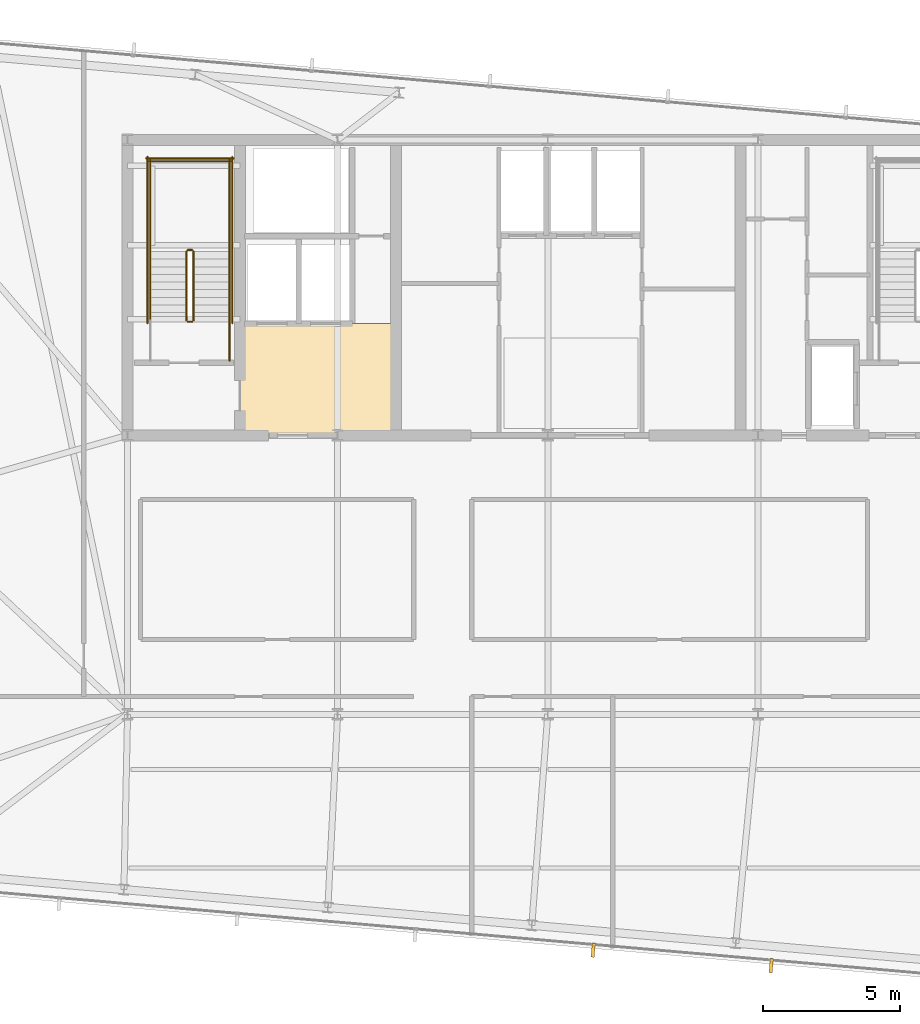
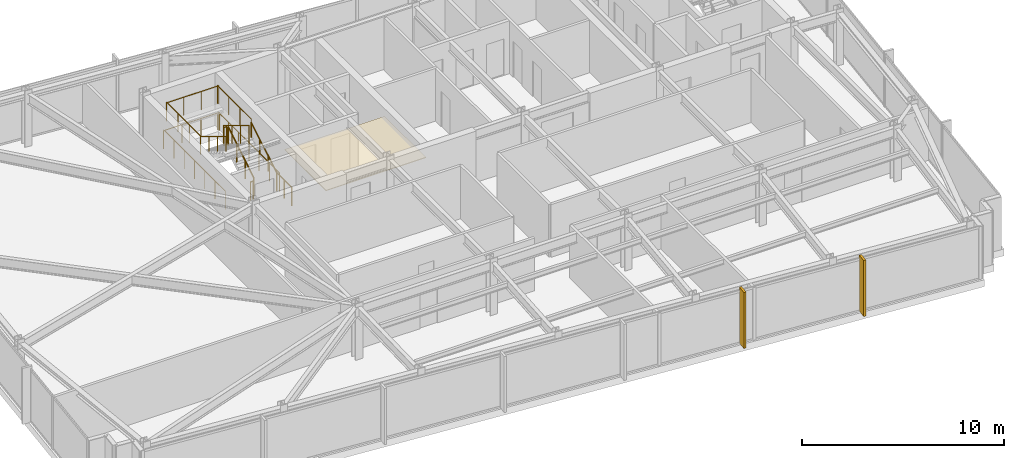
# One storey, part 30 of 32: 13 railings, 2 shading devices, 1 covering.
"""IFC4 building model written with IfcOpenShell, lengths in metres."""

import ifcopenshell
import ifcopenshell.guid

model = None  # the IFC model being written
_history = None  # IfcOwnerHistory: only IFC2X3 demands one
_inside = {}  # id of a spatial element -> (the spatial element, [elements in it])
_under = {}  # id of a project, library or spatial element -> (it, [spatial elements below it])
_declared = {}  # id of a project -> (the project, [libraries it declares])
_typed = {}  # id of a type object -> (the type object, [elements of that type])
_made_of = {}  # id of a material, layer set ... -> (it, [elements and type objects made of it])


def new_model(schema):
    """Start an empty IFC model of exactly this schema.

    Asked for "IFC4X3", IfcOpenShell would pick the latest addendum, in which some entities
    have other attributes; the version numbers below select the first issue.
    IFC2X3 requires an IfcOwnerHistory on every rooted entity: one is made here for all.
    """
    global model, _history
    if schema == "IFC4X3":
        model = ifcopenshell.file(schema_version=(4, 3, 0, 0))
    else:
        model = ifcopenshell.file(schema=schema)
    _inside.clear()
    _under.clear()
    _declared.clear()
    _typed.clear()
    _made_of.clear()
    _history = None
    if model.schema == "IFC2X3":
        org = make("IfcOrganization", Name="unknown")
        user = make(
            "IfcPersonAndOrganization",
            ThePerson=make("IfcPerson", FamilyName="unknown"),
            TheOrganization=org,
        )
        app = make(
            "IfcApplication",
            ApplicationDeveloper=org,
            Version="unknown",
            ApplicationFullName="unknown",
            ApplicationIdentifier="unknown",
        )
        _history = make(
            "IfcOwnerHistory",
            OwningUser=user,
            OwningApplication=app,
            ChangeAction="ADDED",
            CreationDate=0,
        )
    return model


def make(cls, **values):
    """One entity of the class cls with the attributes given. An attribute that is None is left unset."""
    return model.create_entity(
        cls, **{name: value for name, value in values.items() if value is not None}
    )


def rooted(cls, **values):
    """An entity with a GlobalId (a new one), such as an element, a storey or a relation."""
    return make(cls, GlobalId=ifcopenshell.guid.new(), OwnerHistory=_history, **values)


def si_unit(unit_type, name, prefix=None):
    """IfcSIUnit, for example si_unit("LENGTHUNIT", "METRE", prefix="MILLI")."""
    return make("IfcSIUnit", UnitType=unit_type, Prefix=prefix, Name=name)


def assignment(units):
    """IfcUnitAssignment: the units of a project."""
    return None if units is None else make("IfcUnitAssignment", Units=units)


def point(xyz):
    """IfcCartesianPoint."""
    return None if xyz is None else make("IfcCartesianPoint", Coordinates=xyz)


def direction(xyz):
    """IfcDirection."""
    return None if xyz is None else make("IfcDirection", DirectionRatios=xyz)


def frame(location, z_axis=None, x_axis=None):
    """IfcAxis2Placement3D, a coordinate frame: its origin and axes. An axis left out is left unset."""
    return make(
        "IfcAxis2Placement3D",
        Location=point(location),
        Axis=direction(z_axis),
        RefDirection=direction(x_axis),
    )


def frame_2d(location, x_axis=None):
    """IfcAxis2Placement2D, a coordinate frame in the plane: its origin and x axis."""
    return make(
        "IfcAxis2Placement2D", Location=point(location), RefDirection=direction(x_axis)
    )


def origin():
    """The frame at (0, 0, 0) with its axes left unset."""
    return frame((0.0, 0.0, 0.0))


def origin_2d():
    """The frame at (0, 0) in the plane with its x axis left unset."""
    return frame_2d((0.0, 0.0))


def place(relative_to, where):
    """IfcLocalPlacement: puts the frame where relative to a parent placement (None: the world)."""
    return make(
        "IfcLocalPlacement", PlacementRelTo=relative_to, RelativePlacement=where
    )


def context(
    kind, dimensions, precision=None, world=None, true_north=None, identifier=None
):
    """IfcGeometricRepresentationContext, for example the 3D "Model" context."""
    return make(
        "IfcGeometricRepresentationContext",
        ContextIdentifier=identifier,
        ContextType=kind,
        CoordinateSpaceDimension=dimensions,
        Precision=precision,
        WorldCoordinateSystem=world,
        TrueNorth=true_north,
    )


def subcontext(parent, identifier, kind, view, scale=None):
    """IfcGeometricRepresentationSubContext, for example "Body" below "Model"."""
    return make(
        "IfcGeometricRepresentationSubContext",
        ContextIdentifier=identifier,
        ContextType=kind,
        ParentContext=parent,
        TargetScale=scale,
        TargetView=view,
    )


def project(units=None, contexts=None):
    """IfcProject with its units and contexts."""
    return rooted(
        "IfcProject",
        Name="project",
        RepresentationContexts=contexts,
        UnitsInContext=assignment(units),
    )


def spatial(cls, under=None, at=None, **own):
    """A site, building, storey or space (cls), placed at a placement, below another one or the project."""
    s = rooted(cls, ObjectPlacement=at, **own)
    if under is not None:
        _under.setdefault(under.id(), (under, []))[1].append(s)
    return s


def polyline(points):
    """IfcPolyline through the points."""
    return make("IfcPolyline", Points=[point(p) for p in points])


def profile(cls, at=None, kind="AREA", **sizes):
    """A parametric profile (cls). Its sizes go by their IFC names, for example OverallWidth=200.0."""
    return make(cls, ProfileType=kind, Position=at, **sizes)


def rectangle(**sizes):
    """IfcRectangleProfileDef."""
    return profile("IfcRectangleProfileDef", **sizes)


def circle(**sizes):
    """IfcCircleProfileDef."""
    return profile("IfcCircleProfileDef", **sizes)


def outline(outer, holes=None, kind="AREA"):
    """IfcArbitraryClosedProfileDef: a profile drawn as a closed curve; with holes, ...WithVoids."""
    if holes is None:
        return make("IfcArbitraryClosedProfileDef", ProfileType=kind, OuterCurve=outer)
    return make(
        "IfcArbitraryProfileDefWithVoids",
        ProfileType=kind,
        OuterCurve=outer,
        InnerCurves=holes,
    )


def extrude(swept, where, along, depth):
    """IfcExtrudedAreaSolid: the profile swept, set in the frame where, extruded along a direction by depth."""
    return make(
        "IfcExtrudedAreaSolid",
        SweptArea=swept,
        Position=where,
        ExtrudedDirection=direction(along),
        Depth=depth,
    )


def shape(context_of_items, identifier, shape_type, items):
    """IfcShapeRepresentation: the items that make up one representation, for example the "Body"."""
    return make(
        "IfcShapeRepresentation",
        ContextOfItems=context_of_items,
        RepresentationIdentifier=identifier,
        RepresentationType=shape_type,
        Items=items,
    )


def material(Name=None, Category=None):
    """IfcMaterial."""
    return make("IfcMaterial", Name=Name, Category=Category)


def layer(
    of_material, thickness, ventilated=None, Name=None, Category=None, Priority=None
):
    """IfcMaterialLayer: one layer of a wall or slab, of a material (None: an air gap)."""
    return make(
        "IfcMaterialLayer",
        Material=of_material,
        LayerThickness=thickness,
        IsVentilated=ventilated,
        Name=Name,
        Category=Category,
        Priority=Priority,
    )


def layer_set(layers, Name=None):
    """IfcMaterialLayerSet."""
    return make("IfcMaterialLayerSet", MaterialLayers=layers, LayerSetName=Name)


def made_of(thing, what):
    """Note that an element or type object is made of a material, layer set ...; save() writes the relation."""
    if what is not None:
        _made_of.setdefault(what.id(), (what, []))[1].append(thing)
    return thing


def type_object(cls, material=None, **own):
    """A type object (cls), such as IfcWallType, which elements share."""
    return made_of(rooted(cls, **own), material)


def element(
    cls,
    number,
    at=None,
    inside=None,
    cuts=None,
    type_object=None,
    material=None,
    context=None,
    identifier="Body",
    shape_type=None,
    held_by="IfcProductDefinitionShape",
    body=None,
    shapes=None,
    **own,
):
    """One element of the class cls, such as IfcWall. Its Tag is "e" and its number.

    at: its placement. inside: the storey or other place that contains it. cuts: it is an
    opening in that element (IfcRelVoidsElement). A single representation is given by context,
    identifier, shape_type and body (its items); several are given by shapes. held_by: the class
    of the entity that holds the representations. save() writes the other relations.
    """
    e = rooted(cls, Tag="e%d" % number, ObjectPlacement=at, **own)
    if body is not None:
        shapes = [shape(context, identifier, shape_type, body)]
    if shapes is not None:
        e.Representation = make(held_by, Representations=shapes)
    if inside is not None:
        _inside.setdefault(inside.id(), (inside, []))[1].append(e)
    if cuts is not None:
        rooted(
            "IfcRelVoidsElement", RelatingBuildingElement=cuts, RelatedOpeningElement=e
        )
    if type_object is not None:
        _typed.setdefault(type_object.id(), (type_object, []))[1].append(e)
    return made_of(e, material)


def aggregate(whole, parts):
    """IfcRelAggregates: a whole, such as a stair, and the parts it consists of."""
    return rooted("IfcRelAggregates", RelatingObject=whole, RelatedObjects=parts)


def save(model, path):
    """Write the relations noted so far, then the file.

    IfcRelAggregates (storeys below a building ...), IfcRelContainedInSpatialStructure (elements
    in a storey), IfcRelDefinesByType, IfcRelAssociatesMaterial and IfcRelDeclares: one each for
    every whole, place, type object, material and project.
    """
    for whole, parts in _under.values():
        aggregate(whole, parts)
    for where, things in _inside.values():
        rooted(
            "IfcRelContainedInSpatialStructure",
            RelatedElements=things,
            RelatingStructure=where,
        )
    for kind, things in _typed.values():
        rooted("IfcRelDefinesByType", RelatedObjects=things, RelatingType=kind)
    for what, things in _made_of.values():
        rooted("IfcRelAssociatesMaterial", RelatedObjects=things, RelatingMaterial=what)
    for by, libraries in _declared.values():
        rooted("IfcRelDeclares", RelatingContext=by, RelatedDefinitions=libraries)
    model.write(path)


model = new_model("IFC4")

# Units and contexts
model_context = context("Model", 3, precision=1e-05, world=origin(), true_north=direction((0.0, 1.0)))
body_context = subcontext(model_context, "Body", "Model", "MODEL_VIEW")
ifc_project = project(units=[si_unit("LENGTHUNIT", "METRE"), si_unit("AREAUNIT", "SQUARE_METRE"), si_unit("VOLUMEUNIT", "CUBIC_METRE"), si_unit("PLANEANGLEUNIT", "RADIAN"), si_unit("MASSUNIT", "GRAM", prefix="KILO")], contexts=[model_context])

# Site, building, storey
site_placement = place(None, origin())
site = spatial("IfcSite", under=ifc_project, at=site_placement, CompositionType="ELEMENT")
building_placement = place(site_placement, origin())
building = spatial("IfcBuilding", under=site, at=building_placement, Name="Yelkora Congress Tower", CompositionType="ELEMENT")
storey_placement = place(building_placement, frame((0.0, 0.0, 259.10009765625)))
storey = spatial("IfcBuildingStorey", under=building, at=storey_placement, Name="L72", CompositionType="ELEMENT", Elevation=259.10009765625)

# Covering
ifc_material_1 = material(Name="Perforated mineral-fibre acoustic ceiling", Category="gypsum")
ifc_layer_1 = layer(ifc_material_1, 0.0400390625)
ifc_layer_set_1 = layer_set([ifc_layer_1], Name="Perforated mineral-fibre acoustic ceiling")
covering_type = type_object("IfcCoveringType", Name="COV-CEIL-ACOUSTIC-40", PredefinedType="CEILING", material=ifc_layer_set_1)
covering_placement = place(storey_placement, frame((0.0, 0.0, 2.39990234375)))
element("IfcCovering", 1, at=covering_placement, inside=storey, type_object=covering_type, Name="L72 Firefighting Lobby Acoustic Ceiling", PredefinedType="CEILING", context=body_context, shape_type="SweptSolid", body=[
    extrude(outline(polyline([(27.14990234375, 35.39990234375), (32.85009765625, 35.39990234375), (32.85009765625, 39.47998046875), (27.14990234375, 39.47998046875), (27.14990234375, 35.39990234375)])), origin(), (0.0, 0.0, 1.0), 0.0400390625),
])

# Railings
ifc_material_2 = material(Name="Painted galvanised steel stair well guard with vertical infill", Category="steel")
ifc_layer_2 = layer(ifc_material_2, 0.06005859375)
ifc_layer_set_2 = layer_set([ifc_layer_2], Name="Painted galvanised steel stair well guard with vertical infill")
railing_type_1 = type_object("IfcRailingType", Name="RAIL-STAIR-GUARD-1120", PredefinedType="GUARDRAIL", material=ifc_layer_set_2)
railing_1_placement = place(storey_placement, frame((25.449951171875, 39.60009765625, 0.169921875)))
element("IfcRailing", 2, at=railing_1_placement, inside=storey, type_object=railing_type_1, Name="ST-01 L72 Stair Well Guardrail 1", PredefinedType="GUARDRAIL", context=body_context, shape_type="SweptSolid", body=[
    extrude(circle(Radius=0.02392578125, at=origin_2d()), frame((0.0, 0.0, 1.09619140625), z_axis=(0.0, 0.85478489116, 0.518982456201), x_axis=(-1.0, 0.0, 0.0)), (0.0, 0.0, 1.0), 2.9482421875),
    extrude(circle(Radius=0.02099609375, at=origin_2d()), origin(), (0.0, 0.0, 1.0), 1.072021484375),
    extrude(circle(Radius=0.02099609375, at=origin_2d()), frame((0.0, 0.840087890625, 0.510009765625)), (0.0, 0.0, 1.0), 1.072021484375),
    extrude(circle(Radius=0.02099609375, at=origin_2d()), frame((0.0, 1.679931640625, 1.02001953125)), (0.0, 0.0, 1.0), 1.072021484375),
    extrude(circle(Radius=0.02099609375, at=origin_2d()), frame((0.0, 2.52001953125, 1.530029296875)), (0.0, 0.0, 1.0), 1.072021484375),
])
railing_2_placement = place(storey_placement, frame((25.39990234375, 42.169921875, 1.699951171875)))
element("IfcRailing", 3, at=railing_2_placement, inside=storey, type_object=railing_type_1, Name="ST-01 L72 Stair Well Guardrail 2", PredefinedType="GUARDRAIL", context=body_context, shape_type="SweptSolid", body=[
    extrude(circle(Radius=0.02392578125, at=origin_2d()), frame((0.0, 0.0, 1.09619140625), z_axis=(-1.0, 0.0, 0.0), x_axis=(0.0, -1.0, 0.0)), (0.0, 0.0, 1.0), 0.159912109375),
    extrude(circle(Radius=0.02099609375, at=origin_2d()), origin(), (0.0, 0.0, 1.0), 1.072021484375),
    extrude(circle(Radius=0.02099609375, at=origin_2d()), frame((-0.159912109375, 0.0, 0.0)), (0.0, 0.0, 1.0), 1.072021484375),
])
for number, where, name in (
    (4, (26.77001953125, 42.1201171875, 1.699951171875), "ST-01 L72 Stair Well Guardrail 3"),
    (5, (23.8701171875, 42.1201171875, 1.699951171875), "ST-01 L72 Stair Well Guardrail 4"),
):
    element("IfcRailing", number, at=place(storey_placement, frame(where)), inside=storey, type_object=railing_type_1, Name=name, PredefinedType="GUARDRAIL", context=body_context, shape_type="SweptSolid", body=[
        extrude(circle(Radius=0.02392578125, at=origin_2d()), frame((0.0, 0.0, 1.09619140625), z_axis=(0.0, 1.0, 0.0), x_axis=(-1.0, 0.0, 0.0)), (0.0, 0.0, 1.0), 3.349853515625),
        extrude(circle(Radius=0.02099609375, at=origin_2d()), origin(), (0.0, 0.0, 1.0), 1.072021484375),
        extrude(circle(Radius=0.02099609375, at=origin_2d()), frame((0.0, 1.11669921875, 0.0)), (0.0, 0.0, 1.0), 1.072021484375),
        extrude(circle(Radius=0.02099609375, at=origin_2d()), frame((0.0, 2.233154296875, 0.0)), (0.0, 0.0, 1.0), 1.072021484375),
        extrude(circle(Radius=0.02099609375, at=origin_2d()), frame((0.0, 3.349853515625, 0.0)), (0.0, 0.0, 1.0), 1.072021484375),
    ])
railing_3_placement = place(storey_placement, frame((26.820068359375, 45.419921875, 1.699951171875)))
element("IfcRailing", 6, at=railing_3_placement, inside=storey, type_object=railing_type_1, Name="ST-01 L72 Stair Well Guardrail 5", PredefinedType="GUARDRAIL", context=body_context, shape_type="SweptSolid", body=[
    extrude(circle(Radius=0.02392578125, at=origin_2d()), frame((0.0, 0.0, 1.09619140625), z_axis=(-1.0, 0.0, 0.0), x_axis=(0.0, -1.0, 0.0)), (0.0, 0.0, 1.0), 3.0),
    extrude(circle(Radius=0.02099609375, at=origin_2d()), origin(), (0.0, 0.0, 1.0), 1.072021484375),
    extrude(circle(Radius=0.02099609375, at=origin_2d()), frame((-1.0, 0.0, 0.0)), (0.0, 0.0, 1.0), 1.072021484375),
    extrude(circle(Radius=0.02099609375, at=origin_2d()), frame((-2.0, 0.0, 0.0)), (0.0, 0.0, 1.0), 1.072021484375),
    extrude(circle(Radius=0.02099609375, at=origin_2d()), frame((-3.0, 0.0, 0.0)), (0.0, 0.0, 1.0), 1.072021484375),
])
railing_4_placement = place(storey_placement, frame((25.18994140625, 42.1201171875, 1.869873046875)))
element("IfcRailing", 7, at=railing_4_placement, inside=storey, type_object=railing_type_1, Name="ST-01 L72 Stair Well Guardrail 6", PredefinedType="GUARDRAIL", context=body_context, shape_type="SweptSolid", body=[
    extrude(circle(Radius=0.02392578125, at=origin_2d()), frame((0.0, 0.0, 1.09619140625), z_axis=(0.0, -0.85478489116, 0.518982456201), x_axis=(1.0, 0.0, 0.0)), (0.0, 0.0, 1.0), 2.9482421875),
    extrude(circle(Radius=0.02099609375, at=origin_2d()), origin(), (0.0, 0.0, 1.0), 1.072021484375),
    extrude(circle(Radius=0.02099609375, at=origin_2d()), frame((0.0, -0.840087890625, 0.510009765625)), (0.0, 0.0, 1.0), 1.072021484375),
    extrude(circle(Radius=0.02099609375, at=origin_2d()), frame((0.0, -1.679931640625, 1.02001953125)), (0.0, 0.0, 1.0), 1.072021484375),
    extrude(circle(Radius=0.02099609375, at=origin_2d()), frame((0.0, -2.52001953125, 1.530029296875)), (0.0, 0.0, 1.0), 1.072021484375),
])
railing_5_placement = place(storey_placement, frame((25.39990234375, 39.550048828125, 0.0)))
element("IfcRailing", 8, at=railing_5_placement, inside=storey, type_object=railing_type_1, Name="ST-01 L72 Stair Well Guardrail 7", PredefinedType="GUARDRAIL", context=body_context, shape_type="SweptSolid", body=[
    extrude(circle(Radius=0.02392578125, at=origin_2d()), frame((0.0, 0.0, 1.09619140625), z_axis=(-1.0, 0.0, 0.0), x_axis=(0.0, -1.0, 0.0)), (0.0, 0.0, 1.0), 0.159912109375),
    extrude(circle(Radius=0.02099609375, at=origin_2d()), origin(), (0.0, 0.0, 1.0), 1.072021484375),
    extrude(circle(Radius=0.02099609375, at=origin_2d()), frame((-0.159912109375, 0.0, 0.0)), (0.0, 0.0, 1.0), 1.072021484375),
])
railing_6_placement = place(storey_placement, frame((26.77001953125, 38.1201171875, 0.0)))
element("IfcRailing", 9, at=railing_6_placement, inside=storey, type_object=railing_type_1, Name="ST-01 L72 Stair Well Guardrail 8", PredefinedType="GUARDRAIL", context=body_context, shape_type="SweptSolid", body=[
    extrude(circle(Radius=0.02392578125, at=origin_2d()), frame((0.0, 0.0, 1.09619140625), z_axis=(0.0, 1.0, 0.0), x_axis=(-1.0, 0.0, 0.0)), (0.0, 0.0, 1.0), 1.47998046875),
    extrude(circle(Radius=0.02099609375, at=origin_2d()), origin(), (0.0, 0.0, 1.0), 1.072021484375),
    extrude(circle(Radius=0.02099609375, at=origin_2d()), frame((0.0, 0.739990234375, 0.0)), (0.0, 0.0, 1.0), 1.072021484375),
    extrude(circle(Radius=0.02099609375, at=origin_2d()), frame((0.0, 1.47998046875, 0.0)), (0.0, 0.0, 1.0), 1.072021484375),
])
for number, where, name in (
    (10, (26.8701171875, 39.5, 0.0), "ST-01 L72 Stair Well Guardrail 10"),
    (11, (23.77001953125, 39.5, 0.0), "ST-01 L72 Stair Well Guardrail 11"),
):
    element("IfcRailing", number, at=place(storey_placement, frame(where)), inside=storey, type_object=railing_type_1, Name=name, PredefinedType="GUARDRAIL", context=body_context, shape_type="SweptSolid", body=[
        extrude(circle(Radius=0.02392578125, at=origin_2d()), frame((0.0, 0.0, 1.09619140625), z_axis=(0.0, 1.0, 0.0), x_axis=(-1.0, 0.0, 0.0)), (0.0, 0.0, 1.0), 6.070068359375),
        extrude(circle(Radius=0.02099609375, at=origin_2d()), origin(), (0.0, 0.0, 1.0), 1.072021484375),
        extrude(circle(Radius=0.02099609375, at=origin_2d()), frame((0.0, 1.01171875, 0.0)), (0.0, 0.0, 1.0), 1.072021484375),
        extrude(circle(Radius=0.02099609375, at=origin_2d()), frame((0.0, 2.0234375, 0.0)), (0.0, 0.0, 1.0), 1.072021484375),
        extrude(circle(Radius=0.02099609375, at=origin_2d()), frame((0.0, 3.03515625, 0.0)), (0.0, 0.0, 1.0), 1.072021484375),
        extrude(circle(Radius=0.02099609375, at=origin_2d()), frame((0.0, 4.046630859375, 0.0)), (0.0, 0.0, 1.0), 1.072021484375),
        extrude(circle(Radius=0.02099609375, at=origin_2d()), frame((0.0, 5.058349609375, 0.0)), (0.0, 0.0, 1.0), 1.072021484375),
        extrude(circle(Radius=0.02099609375, at=origin_2d()), frame((0.0, 6.070068359375, 0.0)), (0.0, 0.0, 1.0), 1.072021484375),
    ])
railing_7_placement = place(storey_placement, frame((26.919921875, 45.52001953125, 0.0)))
element("IfcRailing", 12, at=railing_7_placement, inside=storey, type_object=railing_type_1, Name="ST-01 L72 Stair Well Guardrail 12", PredefinedType="GUARDRAIL", context=body_context, shape_type="SweptSolid", body=[
    extrude(circle(Radius=0.02392578125, at=origin_2d()), frame((0.0, 0.0, 1.09619140625), z_axis=(-1.0, 0.0, 0.0), x_axis=(0.0, -1.0, 0.0)), (0.0, 0.0, 1.0), 3.199951171875),
    extrude(circle(Radius=0.02099609375, at=origin_2d()), origin(), (0.0, 0.0, 1.0), 1.072021484375),
    extrude(circle(Radius=0.02099609375, at=origin_2d()), frame((-1.066650390625, 0.0, 0.0)), (0.0, 0.0, 1.0), 1.072021484375),
    extrude(circle(Radius=0.02099609375, at=origin_2d()), frame((-2.13330078125, 0.0, 0.0)), (0.0, 0.0, 1.0), 1.072021484375),
    extrude(circle(Radius=0.02099609375, at=origin_2d()), frame((-3.199951171875, 0.0, 0.0)), (0.0, 0.0, 1.0), 1.072021484375),
])
ifc_material_3 = material(Name="Brushed stainless steel tubular handrail", Category="steel")
ifc_layer_3 = layer(ifc_material_3, 0.050048828125)
ifc_layer_set_3 = layer_set([ifc_layer_3], Name="Brushed stainless steel tubular handrail")
railing_type_2 = type_object("IfcRailingType", Name="RAIL-STAIR-HAND-920", PredefinedType="HANDRAIL", material=ifc_layer_set_3)
railing_8_placement = place(storey_placement, frame((26.77001953125, 39.60009765625, 0.169921875)))
element("IfcRailing", 13, at=railing_8_placement, inside=storey, type_object=railing_type_2, Name="ST-01 L72 Pitch Handrail 1", PredefinedType="HANDRAIL", context=body_context, shape_type="SweptSolid", body=[
    extrude(circle(Radius=0.02392578125, at=origin_2d()), frame((0.0, 0.0, 0.89599609375), z_axis=(0.0, 0.85478489116, 0.518982456201), x_axis=(-1.0, 0.0, 0.0)), (0.0, 0.0, 1.0), 2.9482421875),
    extrude(circle(Radius=0.02099609375, at=origin_2d()), origin(), (0.0, 0.0, 1.0), 0.871826171875),
    extrude(circle(Radius=0.02099609375, at=origin_2d()), frame((0.0, 0.840087890625, 0.510009765625)), (0.0, 0.0, 1.0), 0.871826171875),
    extrude(circle(Radius=0.02099609375, at=origin_2d()), frame((0.0, 1.679931640625, 1.02001953125)), (0.0, 0.0, 1.0), 0.871826171875),
    extrude(circle(Radius=0.02099609375, at=origin_2d()), frame((0.0, 2.52001953125, 1.530029296875)), (0.0, 0.0, 1.0), 0.871826171875),
])
railing_9_placement = place(storey_placement, frame((23.8701171875, 42.1201171875, 1.869873046875)))
element("IfcRailing", 14, at=railing_9_placement, inside=storey, type_object=railing_type_2, Name="ST-01 L72 Pitch Handrail 2", PredefinedType="HANDRAIL", context=body_context, shape_type="SweptSolid", body=[
    extrude(circle(Radius=0.02392578125, at=origin_2d()), frame((0.0, 0.0, 0.89599609375), z_axis=(0.0, -0.85478489116, 0.518982456201), x_axis=(1.0, 0.0, 0.0)), (0.0, 0.0, 1.0), 2.9482421875),
    extrude(circle(Radius=0.02099609375, at=origin_2d()), origin(), (0.0, 0.0, 1.0), 0.871826171875),
    extrude(circle(Radius=0.02099609375, at=origin_2d()), frame((0.0, -0.840087890625, 0.510009765625)), (0.0, 0.0, 1.0), 0.871826171875),
    extrude(circle(Radius=0.02099609375, at=origin_2d()), frame((0.0, -1.679931640625, 1.02001953125)), (0.0, 0.0, 1.0), 0.871826171875),
    extrude(circle(Radius=0.02099609375, at=origin_2d()), frame((0.0, -2.52001953125, 1.530029296875)), (0.0, 0.0, 1.0), 0.871826171875),
])

# Shading devices
ifc_material_4 = material(Name="Champagne anodised aluminium", Category="aluminium")
ifc_layer_4 = layer(ifc_material_4, 3.300048828125)
ifc_layer_set_4 = layer_set([ifc_layer_4], Name="Champagne anodised aluminium")
shading_device_type = type_object("IfcShadingDeviceType", Name="SHD-FIN-ALU-520", PredefinedType="USERDEFINED", material=ifc_layer_set_4)
for number, where, z_axis, x_axis, name in (
    (15, (46.567138671875, 16.0107421875, -0.030029296875), (0.0, 0.0, 1.0), (-0.996194698092, 0.087155742748, 0.0), "L72 Vertical Anodised Solar Fin 20-1"),
    (16, (40.060546875, 16.579833984375, -0.030029296875), (0.0, 0.0, 1.0), (-0.996194698092, 0.087155742748, 0.0), "L72 Vertical Anodised Solar Fin 20-2"),
):
    element("IfcShadingDevice", number, at=place(storey_placement, frame(where, z_axis=z_axis, x_axis=x_axis)), inside=storey, type_object=shading_device_type, Name=name, ObjectType="FIN", PredefinedType="USERDEFINED", context=body_context, shape_type="SweptSolid", body=[
        extrude(rectangle(XDim=0.1201171875, YDim=0.52001953125, at=origin_2d()), origin(), (0.0, 0.0, 1.0), 3.3798828125),
    ])

save(model, "model.ifc")
